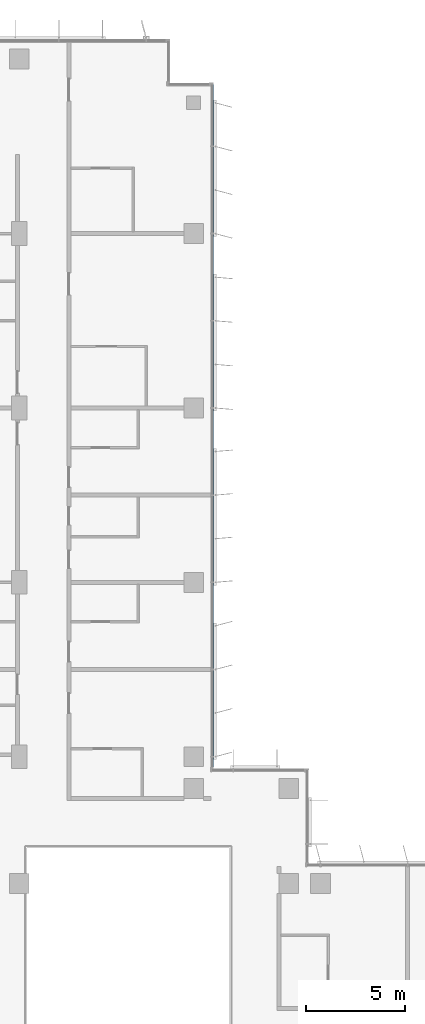
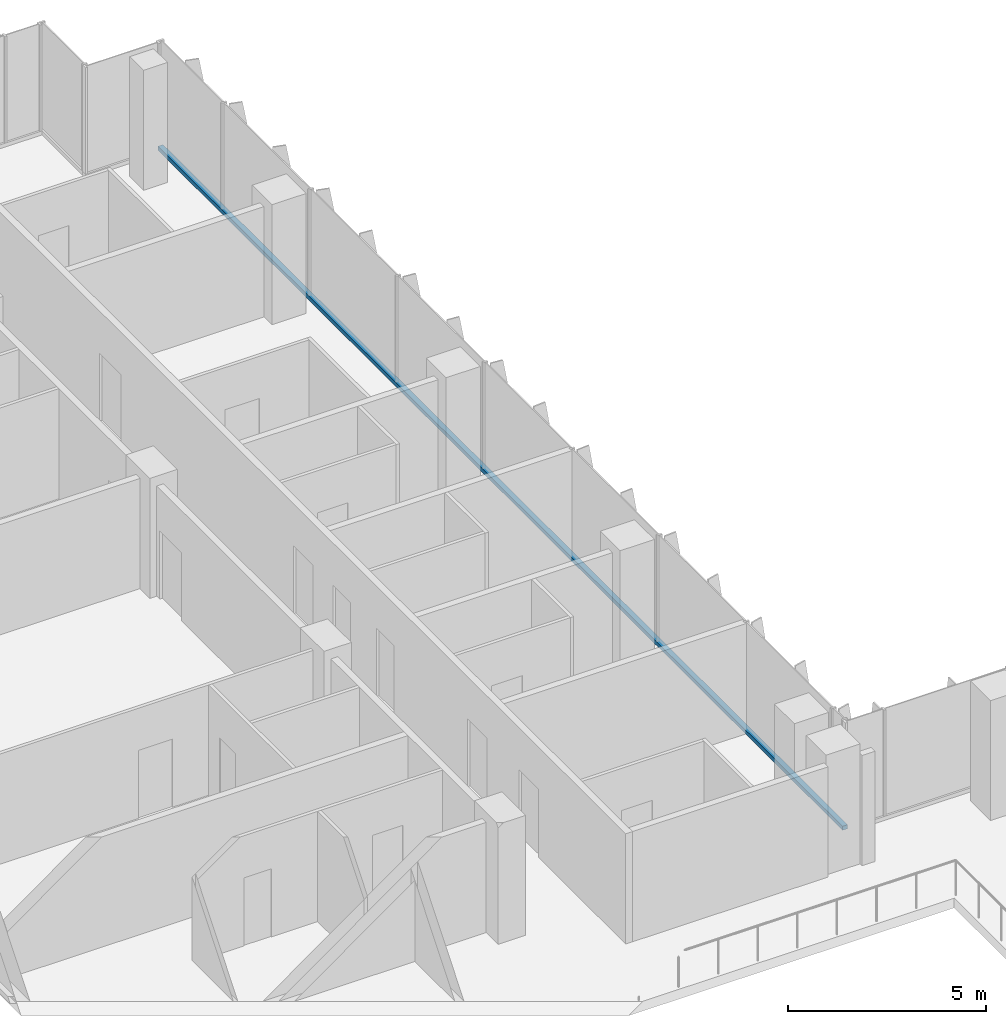
# One storey, part 6 of 21: 1 member, 1 element without a shape of its own.
"""IFC4 building model written with IfcOpenShell, lengths in metres."""

from ifc_helpers import new_model, si_unit, direction, frame, origin, origin_2d, place, context, subcontext, project, spatial, rectangle, extrude, material, material_profile, profile_set, type_object, element, aggregate, save


model = new_model("IFC4")

# Units and contexts
model_context = context("Model", 3, precision=1e-05, world=origin(), true_north=direction((0.0, 1.0)))
body_context = subcontext(model_context, "Body", "Model", "MODEL_VIEW")
ifc_project = project(units=[si_unit("LENGTHUNIT", "METRE"), si_unit("AREAUNIT", "SQUARE_METRE"), si_unit("VOLUMEUNIT", "CUBIC_METRE"), si_unit("PLANEANGLEUNIT", "RADIAN"), si_unit("MASSUNIT", "GRAM", prefix="KILO")], contexts=[model_context])

# Site, building, storey
site_placement = place(None, origin())
site = spatial("IfcSite", under=ifc_project, at=site_placement, CompositionType="ELEMENT")
building_placement = place(site_placement, origin())
building = spatial("IfcBuilding", under=site, at=building_placement, Name="Kemantara Hotel Tower", CompositionType="ELEMENT")
storey_placement = place(building_placement, frame((0.0, 0.0, 167.89990234375)))
storey = spatial("IfcBuildingStorey", under=building, at=storey_placement, Name="L41", CompositionType="ELEMENT", Elevation=167.89990234375)

# Curtain wall, member
ifc_material_1 = material(Name="Low-E tinted double insulated glass 36 mm", Category="glass")
curtain_wall_type = type_object("IfcCurtainWallType", Name="TOWER CURTAIN WALL, FRONT FACES", PredefinedType="USERDEFINED", material=ifc_material_1)
curtain_wall_placement = place(storey_placement, origin())
curtain_wall = element("IfcCurtainWall", 1, at=curtain_wall_placement, inside=storey, type_object=curtain_wall_type, Name="CW4 L41 T3-R17-1", ObjectType="TOWER CURTAIN WALL, FRONT FACES", PredefinedType="USERDEFINED")
ifc_material_2 = material(Name="Aluminium 6063-T6 bronze anodised", Category="aluminium")
ifc_material_profile = material_profile(ifc_material_2, rectangle(XDim=0.14990234375, YDim=0.1201171875, at=origin_2d()), Name="TOWER CURTAIN WALL, FRONT FACES TRANSOM")
ifc_profile_set = profile_set([ifc_material_profile], Name="Aluminium 6063-T6 bronze anodised")
member_type = type_object("IfcMemberType", Name="TOWER CURTAIN WALL, FRONT FACES TRANSOM", PredefinedType="USERDEFINED", material=ifc_profile_set)
member_placement = place(storey_placement, frame((21.925048828125, 26.800048828125, 0.06005859375), z_axis=(0.0, 1.0, 0.0), x_axis=(-1.0, 0.0, 0.0)))
member = element("IfcMember", 2, at=member_placement, type_object=member_type, Name="CW4 sill transom T3-R17-1", ObjectType="TRANSOM", PredefinedType="USERDEFINED", context=body_context, shape_type="SweptSolid", body=[
    extrude(rectangle(XDim=0.14990234375, YDim=0.1201171875, at=origin_2d()), origin(), (0.0, 0.0, 1.0), 34.599853515625),
])
aggregate(curtain_wall, [member])

save(model, "model.ifc")
